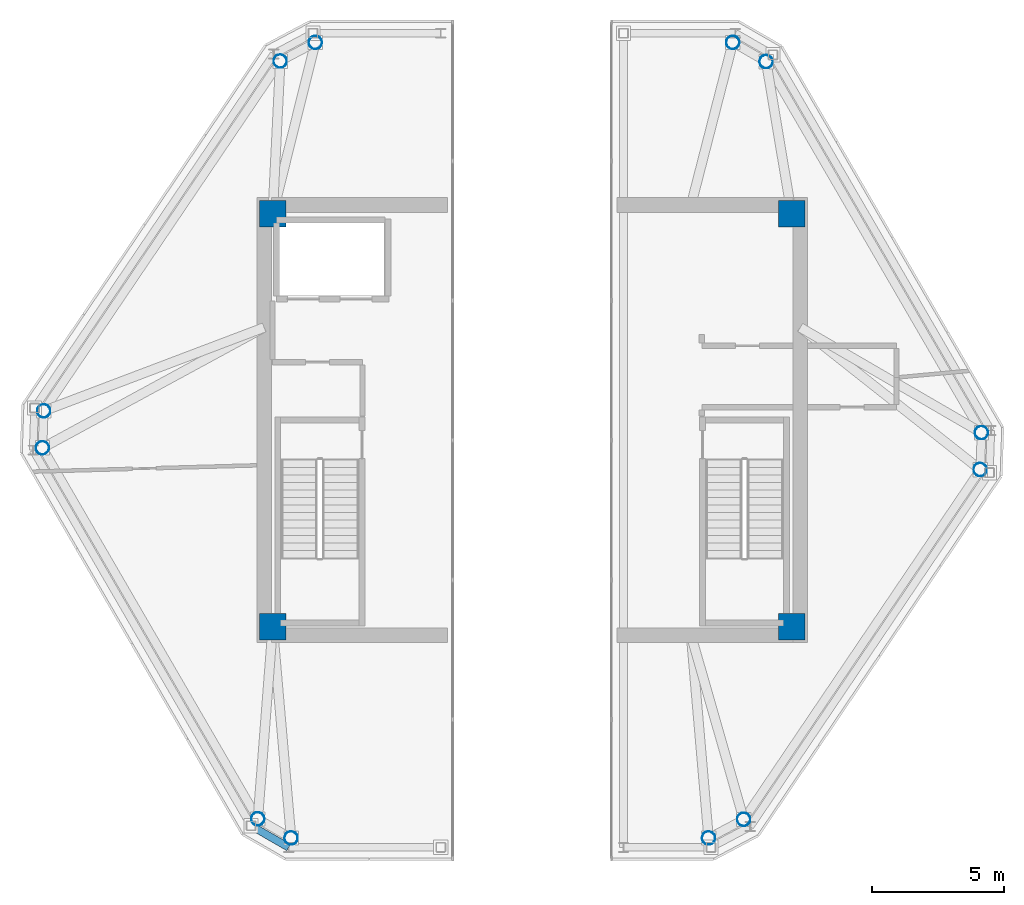
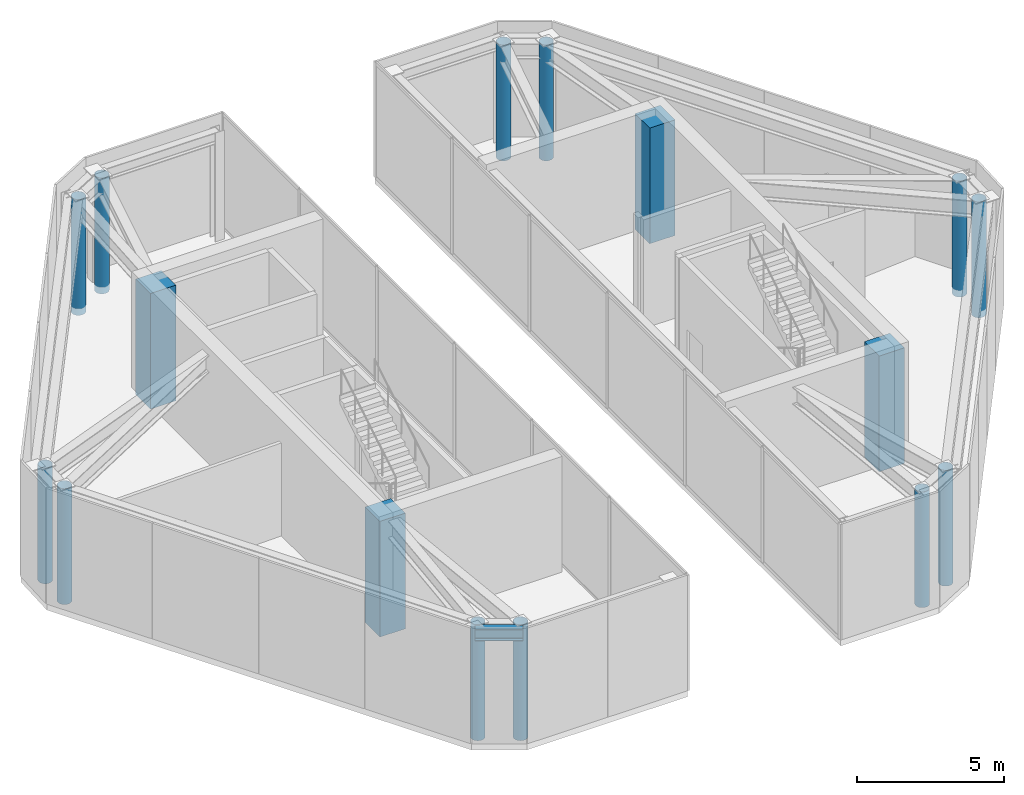
# One storey, part 1 of 8: 16 columns, 1 beam.
"""IFC4 building model written with IfcOpenShell, lengths in metres."""

import ifcopenshell
import ifcopenshell.guid

model = None  # the IFC model being written
_history = None  # IfcOwnerHistory: only IFC2X3 demands one
_inside = {}  # id of a spatial element -> (the spatial element, [elements in it])
_under = {}  # id of a project, library or spatial element -> (it, [spatial elements below it])
_declared = {}  # id of a project -> (the project, [libraries it declares])
_typed = {}  # id of a type object -> (the type object, [elements of that type])
_made_of = {}  # id of a material, layer set ... -> (it, [elements and type objects made of it])


def new_model(schema):
    """Start an empty IFC model of exactly this schema.

    Asked for "IFC4X3", IfcOpenShell would pick the latest addendum, in which some entities
    have other attributes; the version numbers below select the first issue.
    IFC2X3 requires an IfcOwnerHistory on every rooted entity: one is made here for all.
    """
    global model, _history
    if schema == "IFC4X3":
        model = ifcopenshell.file(schema_version=(4, 3, 0, 0))
    else:
        model = ifcopenshell.file(schema=schema)
    _inside.clear()
    _under.clear()
    _declared.clear()
    _typed.clear()
    _made_of.clear()
    _history = None
    if model.schema == "IFC2X3":
        org = make("IfcOrganization", Name="unknown")
        user = make(
            "IfcPersonAndOrganization",
            ThePerson=make("IfcPerson", FamilyName="unknown"),
            TheOrganization=org,
        )
        app = make(
            "IfcApplication",
            ApplicationDeveloper=org,
            Version="unknown",
            ApplicationFullName="unknown",
            ApplicationIdentifier="unknown",
        )
        _history = make(
            "IfcOwnerHistory",
            OwningUser=user,
            OwningApplication=app,
            ChangeAction="ADDED",
            CreationDate=0,
        )
    return model


def make(cls, **values):
    """One entity of the class cls with the attributes given. An attribute that is None is left unset."""
    return model.create_entity(
        cls, **{name: value for name, value in values.items() if value is not None}
    )


def rooted(cls, **values):
    """An entity with a GlobalId (a new one), such as an element, a storey or a relation."""
    return make(cls, GlobalId=ifcopenshell.guid.new(), OwnerHistory=_history, **values)


def si_unit(unit_type, name, prefix=None):
    """IfcSIUnit, for example si_unit("LENGTHUNIT", "METRE", prefix="MILLI")."""
    return make("IfcSIUnit", UnitType=unit_type, Prefix=prefix, Name=name)


def assignment(units):
    """IfcUnitAssignment: the units of a project."""
    return None if units is None else make("IfcUnitAssignment", Units=units)


def point(xyz):
    """IfcCartesianPoint."""
    return None if xyz is None else make("IfcCartesianPoint", Coordinates=xyz)


def direction(xyz):
    """IfcDirection."""
    return None if xyz is None else make("IfcDirection", DirectionRatios=xyz)


def frame(location, z_axis=None, x_axis=None):
    """IfcAxis2Placement3D, a coordinate frame: its origin and axes. An axis left out is left unset."""
    return make(
        "IfcAxis2Placement3D",
        Location=point(location),
        Axis=direction(z_axis),
        RefDirection=direction(x_axis),
    )


def frame_2d(location, x_axis=None):
    """IfcAxis2Placement2D, a coordinate frame in the plane: its origin and x axis."""
    return make(
        "IfcAxis2Placement2D", Location=point(location), RefDirection=direction(x_axis)
    )


def origin():
    """The frame at (0, 0, 0) with its axes left unset."""
    return frame((0.0, 0.0, 0.0))


def origin_2d():
    """The frame at (0, 0) in the plane with its x axis left unset."""
    return frame_2d((0.0, 0.0))


def place(relative_to, where):
    """IfcLocalPlacement: puts the frame where relative to a parent placement (None: the world)."""
    return make(
        "IfcLocalPlacement", PlacementRelTo=relative_to, RelativePlacement=where
    )


def context(
    kind, dimensions, precision=None, world=None, true_north=None, identifier=None
):
    """IfcGeometricRepresentationContext, for example the 3D "Model" context."""
    return make(
        "IfcGeometricRepresentationContext",
        ContextIdentifier=identifier,
        ContextType=kind,
        CoordinateSpaceDimension=dimensions,
        Precision=precision,
        WorldCoordinateSystem=world,
        TrueNorth=true_north,
    )


def subcontext(parent, identifier, kind, view, scale=None):
    """IfcGeometricRepresentationSubContext, for example "Body" below "Model"."""
    return make(
        "IfcGeometricRepresentationSubContext",
        ContextIdentifier=identifier,
        ContextType=kind,
        ParentContext=parent,
        TargetScale=scale,
        TargetView=view,
    )


def project(units=None, contexts=None):
    """IfcProject with its units and contexts."""
    return rooted(
        "IfcProject",
        Name="project",
        RepresentationContexts=contexts,
        UnitsInContext=assignment(units),
    )


def spatial(cls, under=None, at=None, **own):
    """A site, building, storey or space (cls), placed at a placement, below another one or the project."""
    s = rooted(cls, ObjectPlacement=at, **own)
    if under is not None:
        _under.setdefault(under.id(), (under, []))[1].append(s)
    return s


def profile(cls, at=None, kind="AREA", **sizes):
    """A parametric profile (cls). Its sizes go by their IFC names, for example OverallWidth=200.0."""
    return make(cls, ProfileType=kind, Position=at, **sizes)


def rectangle(**sizes):
    """IfcRectangleProfileDef."""
    return profile("IfcRectangleProfileDef", **sizes)


def hollow_circle(**sizes):
    """IfcCircleHollowProfileDef."""
    return profile("IfcCircleHollowProfileDef", **sizes)


def i_section(**sizes):
    """IfcIShapeProfileDef."""
    return profile("IfcIShapeProfileDef", **sizes)


def extrude(swept, where, along, depth):
    """IfcExtrudedAreaSolid: the profile swept, set in the frame where, extruded along a direction by depth."""
    return make(
        "IfcExtrudedAreaSolid",
        SweptArea=swept,
        Position=where,
        ExtrudedDirection=direction(along),
        Depth=depth,
    )


def shape(context_of_items, identifier, shape_type, items):
    """IfcShapeRepresentation: the items that make up one representation, for example the "Body"."""
    return make(
        "IfcShapeRepresentation",
        ContextOfItems=context_of_items,
        RepresentationIdentifier=identifier,
        RepresentationType=shape_type,
        Items=items,
    )


def source(mapping_origin, context_of_items, identifier, shape_type, items):
    """IfcRepresentationMap: a shape defined once, which mapped items show again and again."""
    return make(
        "IfcRepresentationMap",
        MappingOrigin=mapping_origin,
        MappedRepresentation=shape(context_of_items, identifier, shape_type, items),
    )


def transform(
    local_origin,
    x_axis=None,
    y_axis=None,
    z_axis=None,
    scale=None,
    scale2=None,
    scale3=None,
    uniform=True,
):
    """IfcCartesianTransformationOperator3D, or its non-uniform kind. x_axis, y_axis, z_axis: its Axis1, 2, 3."""
    if uniform:
        return make(
            "IfcCartesianTransformationOperator3D",
            Axis1=direction(x_axis),
            Axis2=direction(y_axis),
            LocalOrigin=point(local_origin),
            Scale=scale,
            Axis3=direction(z_axis),
        )
    return make(
        "IfcCartesianTransformationOperator3DnonUniform",
        Axis1=direction(x_axis),
        Axis2=direction(y_axis),
        LocalOrigin=point(local_origin),
        Scale=scale,
        Axis3=direction(z_axis),
        Scale2=scale2,
        Scale3=scale3,
    )


def mapped(mapping_source, mapping_target):
    """IfcMappedItem: shows the shape of a source again, moved by a transform."""
    return make(
        "IfcMappedItem", MappingSource=mapping_source, MappingTarget=mapping_target
    )


def material(Name=None, Category=None):
    """IfcMaterial."""
    return make("IfcMaterial", Name=Name, Category=Category)


def material_profile(
    of_material, cross_section, Name=None, Category=None, Priority=None
):
    """IfcMaterialProfile: a cross section and its material."""
    return make(
        "IfcMaterialProfile",
        Name=Name,
        Material=of_material,
        Profile=cross_section,
        Priority=Priority,
        Category=Category,
    )


def profile_set(profiles, Name=None, composite=None):
    """IfcMaterialProfileSet."""
    return make(
        "IfcMaterialProfileSet",
        Name=Name,
        MaterialProfiles=profiles,
        CompositeProfile=composite,
    )


def made_of(thing, what):
    """Note that an element or type object is made of a material, layer set ...; save() writes the relation."""
    if what is not None:
        _made_of.setdefault(what.id(), (what, []))[1].append(thing)
    return thing


def type_object(cls, material=None, **own):
    """A type object (cls), such as IfcWallType, which elements share."""
    return made_of(rooted(cls, **own), material)


def type_shapes(of_type, sources):
    """Give a type object the sources (RepresentationMaps) that its elements show as mapped items."""
    of_type.RepresentationMaps = sources


def element(
    cls,
    number,
    at=None,
    inside=None,
    cuts=None,
    type_object=None,
    material=None,
    context=None,
    identifier="Body",
    shape_type=None,
    held_by="IfcProductDefinitionShape",
    body=None,
    shapes=None,
    **own,
):
    """One element of the class cls, such as IfcWall. Its Tag is "e" and its number.

    at: its placement. inside: the storey or other place that contains it. cuts: it is an
    opening in that element (IfcRelVoidsElement). A single representation is given by context,
    identifier, shape_type and body (its items); several are given by shapes. held_by: the class
    of the entity that holds the representations. save() writes the other relations.
    """
    e = rooted(cls, Tag="e%d" % number, ObjectPlacement=at, **own)
    if body is not None:
        shapes = [shape(context, identifier, shape_type, body)]
    if shapes is not None:
        e.Representation = make(held_by, Representations=shapes)
    if inside is not None:
        _inside.setdefault(inside.id(), (inside, []))[1].append(e)
    if cuts is not None:
        rooted(
            "IfcRelVoidsElement", RelatingBuildingElement=cuts, RelatedOpeningElement=e
        )
    if type_object is not None:
        _typed.setdefault(type_object.id(), (type_object, []))[1].append(e)
    return made_of(e, material)


def aggregate(whole, parts):
    """IfcRelAggregates: a whole, such as a stair, and the parts it consists of."""
    return rooted("IfcRelAggregates", RelatingObject=whole, RelatedObjects=parts)


def save(model, path):
    """Write the relations noted so far, then the file.

    IfcRelAggregates (storeys below a building ...), IfcRelContainedInSpatialStructure (elements
    in a storey), IfcRelDefinesByType, IfcRelAssociatesMaterial and IfcRelDeclares: one each for
    every whole, place, type object, material and project.
    """
    for whole, parts in _under.values():
        aggregate(whole, parts)
    for where, things in _inside.values():
        rooted(
            "IfcRelContainedInSpatialStructure",
            RelatedElements=things,
            RelatingStructure=where,
        )
    for kind, things in _typed.values():
        rooted("IfcRelDefinesByType", RelatedObjects=things, RelatingType=kind)
    for what, things in _made_of.values():
        rooted("IfcRelAssociatesMaterial", RelatedObjects=things, RelatingMaterial=what)
    for by, libraries in _declared.values():
        rooted("IfcRelDeclares", RelatingContext=by, RelatedDefinitions=libraries)
    model.write(path)


model = new_model("IFC4")

# Units and contexts
model_context = context("Model", 3, precision=1e-05, world=origin(), true_north=direction((0.0, 1.0)))
body_context = subcontext(model_context, "Body", "Model", "MODEL_VIEW")
ifc_project = project(units=[si_unit("LENGTHUNIT", "METRE"), si_unit("AREAUNIT", "SQUARE_METRE"), si_unit("VOLUMEUNIT", "CUBIC_METRE"), si_unit("PLANEANGLEUNIT", "RADIAN"), si_unit("MASSUNIT", "GRAM", prefix="KILO")], contexts=[model_context])

# Site, building, storey
site_placement = place(None, origin())
site = spatial("IfcSite", under=ifc_project, at=site_placement, CompositionType="ELEMENT")
building_placement = place(site_placement, origin())
building = spatial("IfcBuilding", under=site, at=building_placement, Name="Durnholm Broadcast Tower", CompositionType="ELEMENT")
storey_placement = place(building_placement, frame((0.0, 0.0, 277.300048828125)))
storey = spatial("IfcBuildingStorey", under=building, at=storey_placement, Name="L77", CompositionType="ELEMENT", Elevation=277.300048828125)

# Columns
ifc_material_1 = material(Name="Concrete C70/85", Category="concrete")
ifc_material_profile_1 = material_profile(ifc_material_1, rectangle(XDim=1.0, YDim=1.0, at=origin_2d()), Name="RC1000X1000")
ifc_profile_set_1 = profile_set([ifc_material_profile_1], Name="Concrete C70/85")
column_type_1 = type_object("IfcColumnType", Name="COL-CC-1000", PredefinedType="COLUMN", material=ifc_profile_set_1)
shared_shape_1 = source(origin(), body_context, "Body", "SweptSolid", [
    extrude(rectangle(XDim=1.0, YDim=1.0, at=origin_2d()), origin(), (0.0, 0.0, 1.0), 4.800048828125),
])
type_shapes(column_type_1, [shared_shape_1])
for number, where, z_axis, x_axis, name in (
    (1, (-9.800048828125, -7.800048828125, -0.280029296875), (0.0, 0.0, 1.0), (1.0, 0.0, 0.0), "L77 core corner column 1"),
    (2, (9.800048828125, -7.800048828125, -0.280029296875), (0.0, 0.0, 1.0), (1.0, 0.0, 0.0), "L77 core corner column 2"),
    (3, (9.800048828125, 7.800048828125, -0.280029296875), (0.0, 0.0, 1.0), (1.0, 0.0, 0.0), "L77 core corner column 3"),
    (4, (-9.800048828125, 7.800048828125, -0.280029296875), (0.0, 0.0, 1.0), (1.0, 0.0, 0.0), "L77 core corner column 4"),
):
    element("IfcColumn", number, at=place(storey_placement, frame(where, z_axis=z_axis, x_axis=x_axis)), inside=storey, type_object=column_type_1, Name=name, PredefinedType="COLUMN", context=body_context, shape_type="MappedRepresentation", body=[
        mapped(shared_shape_1, transform((0.0, 0.0, 0.0), x_axis=(1.0, 0.0, 0.0), y_axis=(0.0, 1.0, 0.0), z_axis=(0.0, 0.0, 1.0), scale=1.0)),
    ])
ifc_material_2 = material(Name="Steel ASTM A500 Grade C", Category="steel")
ifc_material_profile_2 = material_profile(ifc_material_2, hollow_circle(Radius=0.25390625, WallThickness=0.01171875, at=origin_2d()), Name="HSS20.000X0.500")
ifc_profile_set_2 = profile_set([ifc_material_profile_2], Name="Steel ASTM A500 Grade C")
column_type_2 = type_object("IfcColumnType", Name="STL-SC-CHS20", PredefinedType="COLUMN", material=ifc_profile_set_2)
shared_shape_2 = source(origin(), body_context, "Body", "SweptSolid", [
    extrude(hollow_circle(Radius=0.25390625, WallThickness=0.01171875, at=origin_2d()), origin(), (0.0, 0.0, 1.0), 4.800048828125),
])
type_shapes(column_type_2, [shared_shape_2])
for number, where, z_axis, x_axis, name in (
    (5, (-10.361328125, -15.061767578125, -0.280029296875), (0.0, 0.0, 1.0), (1.0, 0.0, 0.0), "L77 perimeter hexagonal tube column 01"),
    (6, (-18.494384765625, -1.0478515625, -0.280029296875), (0.0, 0.0, 1.0), (1.0, 0.0, 0.0), "L77 perimeter hexagonal tube column 02"),
    (7, (-18.4462890625, 0.345947265625, -0.280029296875), (0.0, 0.0, 1.0), (1.0, 0.0, 0.0), "L77 perimeter hexagonal tube column 03"),
    (8, (-9.514892578125, 13.557373046875, -0.280029296875), (0.0, 0.0, 1.0), (1.0, 0.0, 0.0), "L77 perimeter hexagonal tube column 04"),
    (9, (-8.187744140625, 14.261962890625, -0.280029296875), (0.0, 0.0, 1.0), (1.0, 0.0, 0.0), "L77 perimeter hexagonal tube column 05"),
    (10, (7.57958984375, 14.261962890625, -0.280029296875), (0.0, 0.0, 1.0), (1.0, 0.0, 0.0), "L77 perimeter hexagonal tube column 06"),
    (11, (8.83740234375, 13.53759765625, -0.280029296875), (0.0, 0.0, 1.0), (1.0, 0.0, 0.0), "L77 perimeter hexagonal tube column 07"),
    (12, (16.97021484375, -0.47607421875, -0.280029296875), (0.0, 0.0, 1.0), (1.0, 0.0, 0.0), "L77 perimeter hexagonal tube column 08"),
    (13, (16.92236328125, -1.869873046875, -0.280029296875), (0.0, 0.0, 1.0), (1.0, 0.0, 0.0), "L77 perimeter hexagonal tube column 09"),
    (14, (7.990966796875, -15.081298828125, -0.280029296875), (0.0, 0.0, 1.0), (1.0, 0.0, 0.0), "L77 perimeter hexagonal tube column 10"),
    (15, (6.663818359375, -15.785888671875, -0.280029296875), (0.0, 0.0, 1.0), (1.0, 0.0, 0.0), "L77 perimeter hexagonal tube column 11"),
    (16, (-9.103759765625, -15.785888671875, -0.280029296875), (0.0, 0.0, 1.0), (1.0, 0.0, 0.0), "L77 perimeter hexagonal tube column 12"),
):
    element("IfcColumn", number, at=place(storey_placement, frame(where, z_axis=z_axis, x_axis=x_axis)), inside=storey, type_object=column_type_2, Name=name, PredefinedType="COLUMN", context=body_context, shape_type="MappedRepresentation", body=[
        mapped(shared_shape_2, transform((0.0, 0.0, 0.0), x_axis=(1.0, 0.0, 0.0), y_axis=(0.0, 1.0, 0.0), z_axis=(0.0, 0.0, 1.0), scale=1.0)),
    ])

# Beam
ifc_material_3 = material(Name="Steel ASTM A992 Grade 50", Category="steel")
ifc_material_profile_3 = material_profile(ifc_material_3, i_section(OverallWidth=0.2861328125, OverallDepth=0.481689453125, WebThickness=0.0166015625, FlangeThickness=0.02685546875, FilletRadius=0.02294921875, at=origin_2d()), Name="W18X119")
ifc_profile_set_3 = profile_set([ifc_material_profile_3], Name="Steel ASTM A992 Grade 50")
beam_type = type_object("IfcBeamType", Name="STL-BM-W18X119", PredefinedType="BEAM", material=ifc_profile_set_3)
shared_shape_3 = source(origin(), body_context, "Body", "SweptSolid", [
    extrude(i_section(OverallWidth=0.2861328125, OverallDepth=0.481689453125, WebThickness=0.0166015625, FlangeThickness=0.02685546875, FilletRadius=0.02294921875, at=origin_2d()), origin(), (0.0, 0.0, 1.0), 1.638427734375),
])
type_shapes(beam_type, [shared_shape_3])
beam_placement = place(storey_placement, frame((-10.6171875, -15.318359375, 4.26416015625), z_axis=(0.866597073991, -0.499008528335, 0.0), x_axis=(0.499008528335, 0.866597073991, 0.0)))
element("IfcBeam", 17, at=beam_placement, inside=storey, type_object=beam_type, Name="L77 W split-crown frame ring beam 1", PredefinedType="SPANDREL", context=body_context, shape_type="MappedRepresentation", body=[
    mapped(shared_shape_3, transform((0.0, 0.0, 0.0), x_axis=(1.0, 0.0, 0.0), y_axis=(0.0, 1.0, 0.0), z_axis=(0.0, 0.0, 1.0), scale=1.0)),
])

save(model, "model.ifc")
